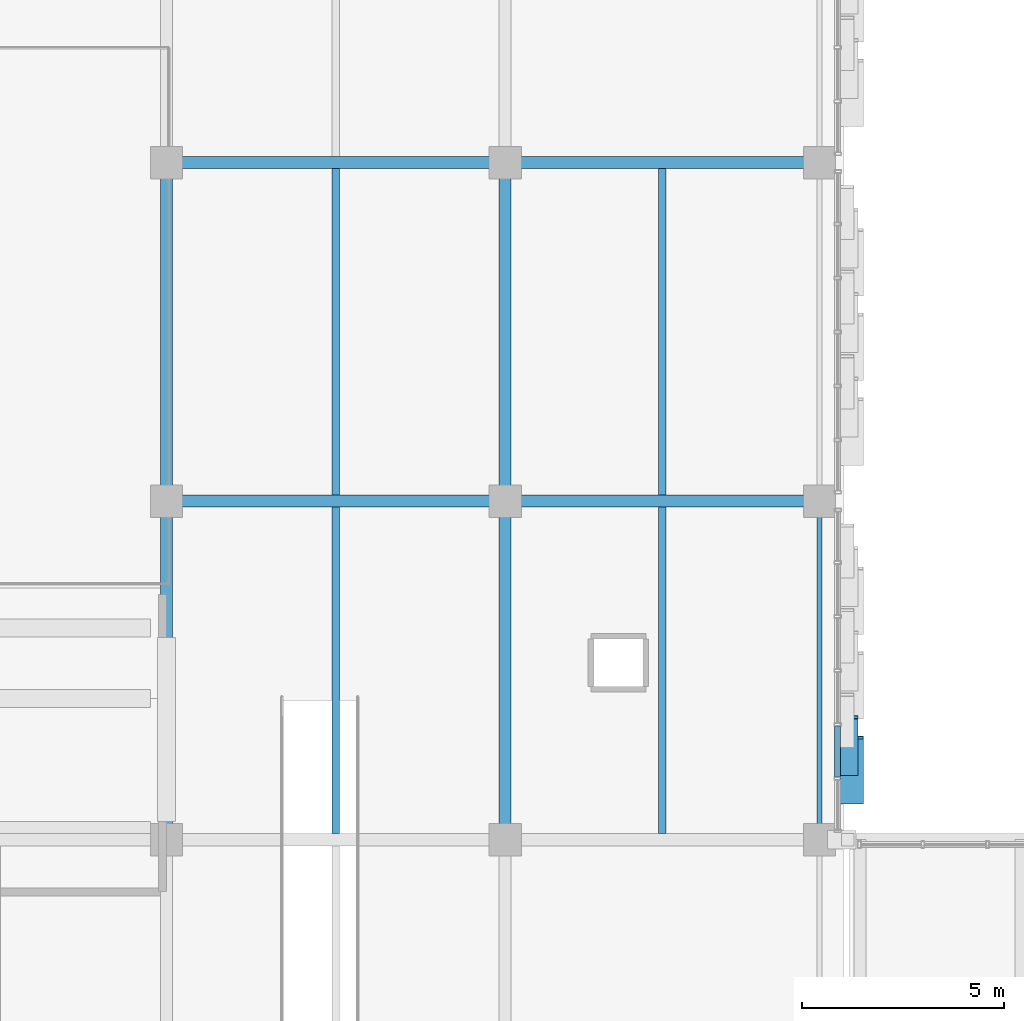
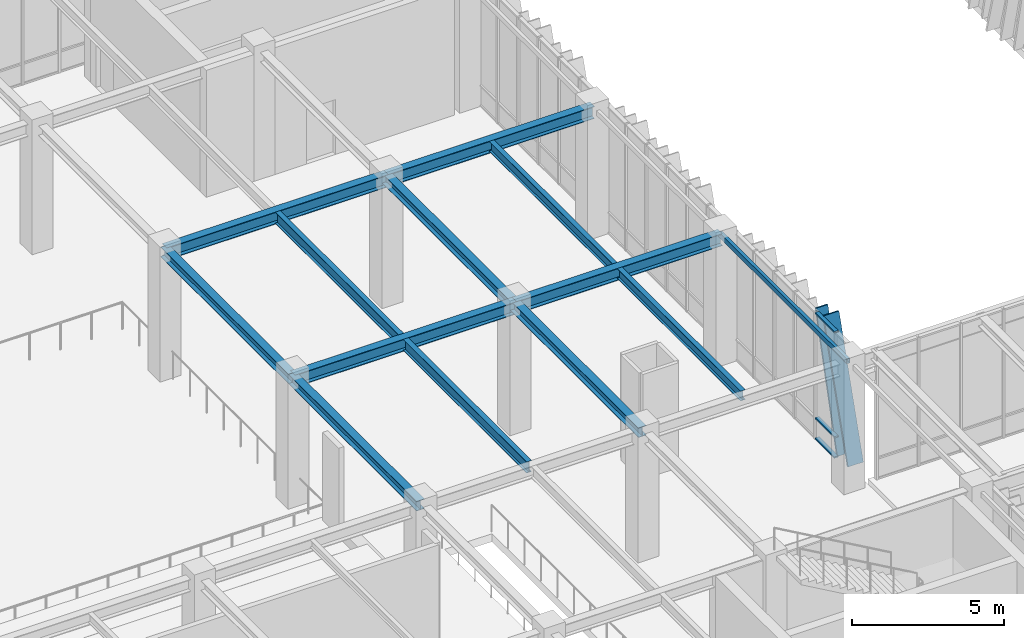
# One storey, part 61 of 139: 13 beams, 5 members, 1 element without a shape of its own.
"""IFC4 building model written with IfcOpenShell, lengths in metres."""

import ifcopenshell
import ifcopenshell.guid

model = None  # the IFC model being written
_history = None  # IfcOwnerHistory: only IFC2X3 demands one
_inside = {}  # id of a spatial element -> (the spatial element, [elements in it])
_under = {}  # id of a project, library or spatial element -> (it, [spatial elements below it])
_declared = {}  # id of a project -> (the project, [libraries it declares])
_typed = {}  # id of a type object -> (the type object, [elements of that type])
_made_of = {}  # id of a material, layer set ... -> (it, [elements and type objects made of it])


def new_model(schema):
    """Start an empty IFC model of exactly this schema.

    Asked for "IFC4X3", IfcOpenShell would pick the latest addendum, in which some entities
    have other attributes; the version numbers below select the first issue.
    IFC2X3 requires an IfcOwnerHistory on every rooted entity: one is made here for all.
    """
    global model, _history
    if schema == "IFC4X3":
        model = ifcopenshell.file(schema_version=(4, 3, 0, 0))
    else:
        model = ifcopenshell.file(schema=schema)
    _inside.clear()
    _under.clear()
    _declared.clear()
    _typed.clear()
    _made_of.clear()
    _history = None
    if model.schema == "IFC2X3":
        org = make("IfcOrganization", Name="unknown")
        user = make(
            "IfcPersonAndOrganization",
            ThePerson=make("IfcPerson", FamilyName="unknown"),
            TheOrganization=org,
        )
        app = make(
            "IfcApplication",
            ApplicationDeveloper=org,
            Version="unknown",
            ApplicationFullName="unknown",
            ApplicationIdentifier="unknown",
        )
        _history = make(
            "IfcOwnerHistory",
            OwningUser=user,
            OwningApplication=app,
            ChangeAction="ADDED",
            CreationDate=0,
        )
    return model


def make(cls, **values):
    """One entity of the class cls with the attributes given. An attribute that is None is left unset."""
    return model.create_entity(
        cls, **{name: value for name, value in values.items() if value is not None}
    )


def rooted(cls, **values):
    """An entity with a GlobalId (a new one), such as an element, a storey or a relation."""
    return make(cls, GlobalId=ifcopenshell.guid.new(), OwnerHistory=_history, **values)


def si_unit(unit_type, name, prefix=None):
    """IfcSIUnit, for example si_unit("LENGTHUNIT", "METRE", prefix="MILLI")."""
    return make("IfcSIUnit", UnitType=unit_type, Prefix=prefix, Name=name)


def assignment(units):
    """IfcUnitAssignment: the units of a project."""
    return None if units is None else make("IfcUnitAssignment", Units=units)


def point(xyz):
    """IfcCartesianPoint."""
    return None if xyz is None else make("IfcCartesianPoint", Coordinates=xyz)


def direction(xyz):
    """IfcDirection."""
    return None if xyz is None else make("IfcDirection", DirectionRatios=xyz)


def frame(location, z_axis=None, x_axis=None):
    """IfcAxis2Placement3D, a coordinate frame: its origin and axes. An axis left out is left unset."""
    return make(
        "IfcAxis2Placement3D",
        Location=point(location),
        Axis=direction(z_axis),
        RefDirection=direction(x_axis),
    )


def frame_2d(location, x_axis=None):
    """IfcAxis2Placement2D, a coordinate frame in the plane: its origin and x axis."""
    return make(
        "IfcAxis2Placement2D", Location=point(location), RefDirection=direction(x_axis)
    )


def origin():
    """The frame at (0, 0, 0) with its axes left unset."""
    return frame((0.0, 0.0, 0.0))


def origin_2d():
    """The frame at (0, 0) in the plane with its x axis left unset."""
    return frame_2d((0.0, 0.0))


def place(relative_to, where):
    """IfcLocalPlacement: puts the frame where relative to a parent placement (None: the world)."""
    return make(
        "IfcLocalPlacement", PlacementRelTo=relative_to, RelativePlacement=where
    )


def context(
    kind, dimensions, precision=None, world=None, true_north=None, identifier=None
):
    """IfcGeometricRepresentationContext, for example the 3D "Model" context."""
    return make(
        "IfcGeometricRepresentationContext",
        ContextIdentifier=identifier,
        ContextType=kind,
        CoordinateSpaceDimension=dimensions,
        Precision=precision,
        WorldCoordinateSystem=world,
        TrueNorth=true_north,
    )


def subcontext(parent, identifier, kind, view, scale=None):
    """IfcGeometricRepresentationSubContext, for example "Body" below "Model"."""
    return make(
        "IfcGeometricRepresentationSubContext",
        ContextIdentifier=identifier,
        ContextType=kind,
        ParentContext=parent,
        TargetScale=scale,
        TargetView=view,
    )


def project(units=None, contexts=None):
    """IfcProject with its units and contexts."""
    return rooted(
        "IfcProject",
        Name="project",
        RepresentationContexts=contexts,
        UnitsInContext=assignment(units),
    )


def spatial(cls, under=None, at=None, **own):
    """A site, building, storey or space (cls), placed at a placement, below another one or the project."""
    s = rooted(cls, ObjectPlacement=at, **own)
    if under is not None:
        _under.setdefault(under.id(), (under, []))[1].append(s)
    return s


def profile(cls, at=None, kind="AREA", **sizes):
    """A parametric profile (cls). Its sizes go by their IFC names, for example OverallWidth=200.0."""
    return make(cls, ProfileType=kind, Position=at, **sizes)


def hollow_rectangle(**sizes):
    """IfcRectangleHollowProfileDef."""
    return profile("IfcRectangleHollowProfileDef", **sizes)


def i_section(**sizes):
    """IfcIShapeProfileDef."""
    return profile("IfcIShapeProfileDef", **sizes)


def extrude(swept, where, along, depth):
    """IfcExtrudedAreaSolid: the profile swept, set in the frame where, extruded along a direction by depth."""
    return make(
        "IfcExtrudedAreaSolid",
        SweptArea=swept,
        Position=where,
        ExtrudedDirection=direction(along),
        Depth=depth,
    )


def shape(context_of_items, identifier, shape_type, items):
    """IfcShapeRepresentation: the items that make up one representation, for example the "Body"."""
    return make(
        "IfcShapeRepresentation",
        ContextOfItems=context_of_items,
        RepresentationIdentifier=identifier,
        RepresentationType=shape_type,
        Items=items,
    )


def material(Name=None, Category=None):
    """IfcMaterial."""
    return make("IfcMaterial", Name=Name, Category=Category)


def layer(
    of_material, thickness, ventilated=None, Name=None, Category=None, Priority=None
):
    """IfcMaterialLayer: one layer of a wall or slab, of a material (None: an air gap)."""
    return make(
        "IfcMaterialLayer",
        Material=of_material,
        LayerThickness=thickness,
        IsVentilated=ventilated,
        Name=Name,
        Category=Category,
        Priority=Priority,
    )


def layer_set(layers, Name=None):
    """IfcMaterialLayerSet."""
    return make("IfcMaterialLayerSet", MaterialLayers=layers, LayerSetName=Name)


def material_profile(
    of_material, cross_section, Name=None, Category=None, Priority=None
):
    """IfcMaterialProfile: a cross section and its material."""
    return make(
        "IfcMaterialProfile",
        Name=Name,
        Material=of_material,
        Profile=cross_section,
        Priority=Priority,
        Category=Category,
    )


def profile_set(profiles, Name=None, composite=None):
    """IfcMaterialProfileSet."""
    return make(
        "IfcMaterialProfileSet",
        Name=Name,
        MaterialProfiles=profiles,
        CompositeProfile=composite,
    )


def made_of(thing, what):
    """Note that an element or type object is made of a material, layer set ...; save() writes the relation."""
    if what is not None:
        _made_of.setdefault(what.id(), (what, []))[1].append(thing)
    return thing


def type_object(cls, material=None, **own):
    """A type object (cls), such as IfcWallType, which elements share."""
    return made_of(rooted(cls, **own), material)


def element(
    cls,
    number,
    at=None,
    inside=None,
    cuts=None,
    type_object=None,
    material=None,
    context=None,
    identifier="Body",
    shape_type=None,
    held_by="IfcProductDefinitionShape",
    body=None,
    shapes=None,
    **own,
):
    """One element of the class cls, such as IfcWall. Its Tag is "e" and its number.

    at: its placement. inside: the storey or other place that contains it. cuts: it is an
    opening in that element (IfcRelVoidsElement). A single representation is given by context,
    identifier, shape_type and body (its items); several are given by shapes. held_by: the class
    of the entity that holds the representations. save() writes the other relations.
    """
    e = rooted(cls, Tag="e%d" % number, ObjectPlacement=at, **own)
    if body is not None:
        shapes = [shape(context, identifier, shape_type, body)]
    if shapes is not None:
        e.Representation = make(held_by, Representations=shapes)
    if inside is not None:
        _inside.setdefault(inside.id(), (inside, []))[1].append(e)
    if cuts is not None:
        rooted(
            "IfcRelVoidsElement", RelatingBuildingElement=cuts, RelatedOpeningElement=e
        )
    if type_object is not None:
        _typed.setdefault(type_object.id(), (type_object, []))[1].append(e)
    return made_of(e, material)


def aggregate(whole, parts):
    """IfcRelAggregates: a whole, such as a stair, and the parts it consists of."""
    return rooted("IfcRelAggregates", RelatingObject=whole, RelatedObjects=parts)


def save(model, path):
    """Write the relations noted so far, then the file.

    IfcRelAggregates (storeys below a building ...), IfcRelContainedInSpatialStructure (elements
    in a storey), IfcRelDefinesByType, IfcRelAssociatesMaterial and IfcRelDeclares: one each for
    every whole, place, type object, material and project.
    """
    for whole, parts in _under.values():
        aggregate(whole, parts)
    for where, things in _inside.values():
        rooted(
            "IfcRelContainedInSpatialStructure",
            RelatedElements=things,
            RelatingStructure=where,
        )
    for kind, things in _typed.values():
        rooted("IfcRelDefinesByType", RelatedObjects=things, RelatingType=kind)
    for what, things in _made_of.values():
        rooted("IfcRelAssociatesMaterial", RelatedObjects=things, RelatingMaterial=what)
    for by, libraries in _declared.values():
        rooted("IfcRelDeclares", RelatingContext=by, RelatedDefinitions=libraries)
    model.write(path)


model = new_model("IFC4")

# Units and contexts
model_context = context("Model", 3, precision=1e-05, world=origin(), true_north=direction((0.0, 1.0)))
body_context = subcontext(model_context, "Body", "Model", "MODEL_VIEW")
ifc_project = project(units=[si_unit("LENGTHUNIT", "METRE"), si_unit("AREAUNIT", "SQUARE_METRE"), si_unit("VOLUMEUNIT", "CUBIC_METRE"), si_unit("PLANEANGLEUNIT", "RADIAN"), si_unit("MASSUNIT", "GRAM", prefix="KILO")], contexts=[model_context])

# Site, building, storey
site_placement = place(None, origin())
site = spatial("IfcSite", under=ifc_project, at=site_placement, CompositionType="ELEMENT")
building_placement = place(site_placement, origin())
building = spatial("IfcBuilding", under=site, at=building_placement, Name="Zayran Congress Hotel", CompositionType="ELEMENT")
storey_placement = place(building_placement, frame((0.0, 0.0, 5.39990234375)))
storey = spatial("IfcBuildingStorey", under=building, at=storey_placement, Name="L01", CompositionType="ELEMENT", Elevation=5.39990234375)

# Beams
ifc_material_1 = material(Name="Steel S355", Category="steel")
ifc_material_profile_1 = material_profile(ifc_material_1, i_section(OverallWidth=0.300048828125, OverallDepth=0.489990234375, WebThickness=0.011962890625, FlangeThickness=0.02294921875, at=origin_2d()), Name="HEA 500")
ifc_profile_set_1 = profile_set([ifc_material_profile_1], Name="Steel S355")
beam_type_1 = type_object("IfcBeamType", Name="TP-BM-05", PredefinedType="BEAM", material=ifc_profile_set_1)
beam_1_placement = place(storey_placement, frame((75.60009765625, 92.800048828125, 4.835205078125), z_axis=(1.0, 0.0, 0.0), x_axis=(0.0, 1.0, 0.0)))
element("IfcBeam", 1, at=beam_1_placement, inside=storey, type_object=beam_type_1, Name="BM-V1-L01-0545", PredefinedType="BEAM", context=body_context, shape_type="SweptSolid", body=[
    extrude(i_section(OverallWidth=0.300048828125, OverallDepth=0.489990234375, WebThickness=0.011962890625, FlangeThickness=0.02294921875, at=origin_2d()), origin(), (0.0, 0.0, 1.0), 8.39990234375),
])
beam_2_placement = place(storey_placement, frame((84.0, 92.800048828125, 4.835205078125), z_axis=(1.0, 0.0, 0.0), x_axis=(0.0, 1.0, 0.0)))
element("IfcBeam", 2, at=beam_2_placement, inside=storey, type_object=beam_type_1, Name="BM-V1-L01-0546", PredefinedType="BEAM", context=body_context, shape_type="SweptSolid", body=[
    extrude(i_section(OverallWidth=0.300048828125, OverallDepth=0.489990234375, WebThickness=0.011962890625, FlangeThickness=0.02294921875, at=origin_2d()), origin(), (0.0, 0.0, 1.0), 7.800048828125),
])
beam_3_placement = place(storey_placement, frame((75.60009765625, 101.199951171875, 4.835205078125), z_axis=(1.0, 0.0, 0.0), x_axis=(0.0, 1.0, 0.0)))
element("IfcBeam", 3, at=beam_3_placement, inside=storey, type_object=beam_type_1, Name="BM-V1-L01-0549", PredefinedType="BEAM", context=body_context, shape_type="SweptSolid", body=[
    extrude(i_section(OverallWidth=0.300048828125, OverallDepth=0.489990234375, WebThickness=0.011962890625, FlangeThickness=0.02294921875, at=origin_2d()), origin(), (0.0, 0.0, 1.0), 8.39990234375),
])
beam_4_placement = place(storey_placement, frame((84.0, 101.199951171875, 4.835205078125), z_axis=(1.0, 0.0, 0.0), x_axis=(0.0, 1.0, 0.0)))
element("IfcBeam", 4, at=beam_4_placement, inside=storey, type_object=beam_type_1, Name="BM-V1-L01-0550", PredefinedType="BEAM", context=body_context, shape_type="SweptSolid", body=[
    extrude(i_section(OverallWidth=0.300048828125, OverallDepth=0.489990234375, WebThickness=0.011962890625, FlangeThickness=0.02294921875, at=origin_2d()), origin(), (0.0, 0.0, 1.0), 7.800048828125),
])
ifc_material_profile_2 = material_profile(ifc_material_1, i_section(OverallWidth=0.300048828125, OverallDepth=0.389892578125, WebThickness=0.010986328125, FlangeThickness=0.01904296875, at=origin_2d()), Name="HEA 400")
ifc_profile_set_2 = profile_set([ifc_material_profile_2], Name="Steel S355")
beam_type_2 = type_object("IfcBeamType", Name="TP-BM-06", PredefinedType="BEAM", material=ifc_profile_set_2)
beam_5_placement = place(storey_placement, frame((75.60009765625, 84.39990234375, 4.885009765625), z_axis=(0.0, 1.0, 0.0), x_axis=(-1.0, 0.0, 0.0)))
element("IfcBeam", 5, at=beam_5_placement, inside=storey, type_object=beam_type_2, Name="BM-V1-L01-0604", PredefinedType="BEAM", context=body_context, shape_type="SweptSolid", body=[
    extrude(i_section(OverallWidth=0.300048828125, OverallDepth=0.389892578125, WebThickness=0.010986328125, FlangeThickness=0.01904296875, at=origin_2d()), origin(), (0.0, 0.0, 1.0), 8.400146484375),
])
beam_6_placement = place(storey_placement, frame((75.60009765625, 92.800048828125, 4.885009765625), z_axis=(0.0, 1.0, 0.0), x_axis=(-1.0, 0.0, 0.0)))
element("IfcBeam", 6, at=beam_6_placement, inside=storey, type_object=beam_type_2, Name="BM-V1-L01-0605", PredefinedType="BEAM", context=body_context, shape_type="SweptSolid", body=[
    extrude(i_section(OverallWidth=0.300048828125, OverallDepth=0.389892578125, WebThickness=0.010986328125, FlangeThickness=0.01904296875, at=origin_2d()), origin(), (0.0, 0.0, 1.0), 8.39990234375),
])
beam_7_placement = place(storey_placement, frame((84.0, 84.39990234375, 4.885009765625), z_axis=(0.0, 1.0, 0.0), x_axis=(-1.0, 0.0, 0.0)))
element("IfcBeam", 7, at=beam_7_placement, inside=storey, type_object=beam_type_2, Name="BM-V1-L01-0609", PredefinedType="BEAM", context=body_context, shape_type="SweptSolid", body=[
    extrude(i_section(OverallWidth=0.300048828125, OverallDepth=0.389892578125, WebThickness=0.010986328125, FlangeThickness=0.01904296875, at=origin_2d()), origin(), (0.0, 0.0, 1.0), 8.400146484375),
])
beam_8_placement = place(storey_placement, frame((84.0, 92.800048828125, 4.885009765625), z_axis=(0.0, 1.0, 0.0), x_axis=(-1.0, 0.0, 0.0)))
element("IfcBeam", 8, at=beam_8_placement, inside=storey, type_object=beam_type_2, Name="BM-V1-L01-0610", PredefinedType="BEAM", context=body_context, shape_type="SweptSolid", body=[
    extrude(i_section(OverallWidth=0.300048828125, OverallDepth=0.389892578125, WebThickness=0.010986328125, FlangeThickness=0.01904296875, at=origin_2d()), origin(), (0.0, 0.0, 1.0), 8.39990234375),
])
ifc_material_profile_3 = material_profile(ifc_material_1, i_section(OverallWidth=0.18994140625, OverallDepth=0.449951171875, WebThickness=0.009521484375, FlangeThickness=0.0146484375, at=origin_2d()), Name="IPE 450")
ifc_profile_set_3 = profile_set([ifc_material_profile_3], Name="Steel S355")
beam_type_3 = type_object("IfcBeamType", Name="TP-JS-02", PredefinedType="JOIST", material=ifc_profile_set_3)
beam_9_placement = place(storey_placement, frame((79.800048828125, 84.550048828125, 4.85498046875), z_axis=(0.0, 1.0, 0.0), x_axis=(-1.0, 0.0, 0.0)))
element("IfcBeam", 9, at=beam_9_placement, inside=storey, type_object=beam_type_3, Name="JST-V1-L01-0646", PredefinedType="JOIST", context=body_context, shape_type="SweptSolid", body=[
    extrude(i_section(OverallWidth=0.18994140625, OverallDepth=0.449951171875, WebThickness=0.009521484375, FlangeThickness=0.0146484375, at=origin_2d()), origin(), (0.0, 0.0, 1.0), 8.099853515625),
])
beam_10_placement = place(storey_placement, frame((79.800048828125, 92.949951171875, 4.85498046875), z_axis=(0.0, 1.0, 0.0), x_axis=(-1.0, 0.0, 0.0)))
element("IfcBeam", 10, at=beam_10_placement, inside=storey, type_object=beam_type_3, Name="JST-V1-L01-0647", PredefinedType="JOIST", context=body_context, shape_type="SweptSolid", body=[
    extrude(i_section(OverallWidth=0.18994140625, OverallDepth=0.449951171875, WebThickness=0.009521484375, FlangeThickness=0.0146484375, at=origin_2d()), origin(), (0.0, 0.0, 1.0), 8.10009765625),
])
ifc_material_profile_4 = material_profile(ifc_material_1, i_section(OverallWidth=0.179931640625, OverallDepth=0.39990234375, WebThickness=0.008544921875, FlangeThickness=0.013427734375, at=origin_2d()), Name="IPE 400")
ifc_profile_set_4 = profile_set([ifc_material_profile_4], Name="Steel S355")
beam_type_4 = type_object("IfcBeamType", Name="TP-JS-03", PredefinedType="JOIST", material=ifc_profile_set_4)
beam_11_placement = place(storey_placement, frame((87.89990234375, 84.550048828125, 4.880126953125), z_axis=(0.0, 1.0, 0.0), x_axis=(-1.0, 0.0, 0.0)))
element("IfcBeam", 11, at=beam_11_placement, inside=storey, type_object=beam_type_4, Name="JST-V1-L01-0650", PredefinedType="JOIST", context=body_context, shape_type="SweptSolid", body=[
    extrude(i_section(OverallWidth=0.179931640625, OverallDepth=0.39990234375, WebThickness=0.008544921875, FlangeThickness=0.013427734375, at=origin_2d()), origin(), (0.0, 0.0, 1.0), 8.099853515625),
])
beam_12_placement = place(storey_placement, frame((87.89990234375, 92.949951171875, 4.880126953125), z_axis=(0.0, 1.0, 0.0), x_axis=(-1.0, 0.0, 0.0)))
element("IfcBeam", 12, at=beam_12_placement, inside=storey, type_object=beam_type_4, Name="JST-V1-L01-0651", PredefinedType="JOIST", context=body_context, shape_type="SweptSolid", body=[
    extrude(i_section(OverallWidth=0.179931640625, OverallDepth=0.39990234375, WebThickness=0.008544921875, FlangeThickness=0.013427734375, at=origin_2d()), origin(), (0.0, 0.0, 1.0), 8.10009765625),
])
ifc_material_profile_5 = material_profile(ifc_material_1, hollow_rectangle(XDim=0.1201171875, YDim=0.199951171875, WallThickness=0.008056640625, at=origin_2d()), Name="RHS 200x120x8")
ifc_profile_set_5 = profile_set([ifc_material_profile_5], Name="Steel S355")
beam_type_5 = type_object("IfcBeamType", Name="TP-SP-02", PredefinedType="SPANDREL", material=ifc_profile_set_5)
beam_13_placement = place(storey_placement, frame((91.800048828125, 84.39990234375, 4.97998046875), z_axis=(0.0, 1.0, 0.0), x_axis=(-1.0, 0.0, 0.0)))
element("IfcBeam", 13, at=beam_13_placement, inside=storey, type_object=beam_type_5, Name="BM-V1-L01-0614", PredefinedType="SPANDREL", context=body_context, shape_type="SweptSolid", body=[
    extrude(hollow_rectangle(XDim=0.1201171875, YDim=0.199951171875, WallThickness=0.008056640625, at=origin_2d()), origin(), (0.0, 0.0, 1.0), 8.400146484375),
])

# Curtain wall, members
ifc_material_2 = material(Name="Anodised aluminium and low-E insulated glass", Category="aluminium")
ifc_layer = layer(ifc_material_2, 0.179931640625)
ifc_layer_set = layer_set([ifc_layer], Name="Anodised aluminium and low-E insulated glass")
curtain_wall_type = type_object("IfcCurtainWallType", Name="CW-V1E-L01-CW-41-8040-5080", PredefinedType="USERDEFINED", material=ifc_layer_set)
curtain_wall_placement = place(storey_placement, origin())
curtain_wall = element("IfcCurtainWall", 14, at=curtain_wall_placement, inside=storey, type_object=curtain_wall_type, Name="CW-V1E-L01-2", ObjectType="CURTAIN WALL", PredefinedType="USERDEFINED")
ifc_material_3 = material(Name="Anodised aluminium framing", Category="aluminium")
ifc_material_profile_6 = material_profile(ifc_material_3, hollow_rectangle(XDim=0.06005859375, YDim=0.14990234375, WallThickness=0.00390625, at=origin_2d()), Name="RHS 150x60x4")
ifc_profile_set_6 = profile_set([ifc_material_profile_6], Name="Anodised aluminium framing")
member_type_1 = type_object("IfcMemberType", Name="TP-CWT-01", PredefinedType="USERDEFINED", material=ifc_profile_set_6)
member_1_placement = place(storey_placement, frame((92.25, 85.9599609375, 0.030029296875), z_axis=(0.0, 1.0, 0.0), x_axis=(0.0, 0.0, 1.0)))
member_1 = element("IfcMember", 15, at=member_1_placement, type_object=member_type_1, Name="CW-V1E-L01-2-T01-0", ObjectType="TRANSOM", PredefinedType="USERDEFINED", context=body_context, shape_type="SweptSolid", body=[
    extrude(hollow_rectangle(XDim=0.06005859375, YDim=0.14990234375, WallThickness=0.00390625, at=origin_2d()), origin(), (0.0, 0.0, 1.0), 1.260009765625),
])
member_2_placement = place(storey_placement, frame((92.25, 85.9599609375, 0.840087890625), z_axis=(0.0, 1.0, 0.0), x_axis=(0.0, 0.0, 1.0)))
member_2 = element("IfcMember", 16, at=member_2_placement, type_object=member_type_1, Name="CW-V1E-L01-2-T01-1", ObjectType="TRANSOM", PredefinedType="USERDEFINED", context=body_context, shape_type="SweptSolid", body=[
    extrude(hollow_rectangle(XDim=0.06005859375, YDim=0.14990234375, WallThickness=0.00390625, at=origin_2d()), origin(), (0.0, 0.0, 1.0), 1.260009765625),
])
member_3_placement = place(storey_placement, frame((92.25, 85.9599609375, 5.050048828125), z_axis=(0.0, 1.0, 0.0), x_axis=(0.0, 0.0, 1.0)))
member_3 = element("IfcMember", 17, at=member_3_placement, type_object=member_type_1, Name="CW-V1E-L01-2-T01-2", ObjectType="TRANSOM", PredefinedType="USERDEFINED", context=body_context, shape_type="SweptSolid", body=[
    extrude(hollow_rectangle(XDim=0.06005859375, YDim=0.14990234375, WallThickness=0.00390625, at=origin_2d()), origin(), (0.0, 0.0, 1.0), 1.260009765625),
])
ifc_material_4 = material(Name="Warm bronze anodised aluminium", Category="aluminium")
ifc_material_profile_7 = material_profile(ifc_material_4, hollow_rectangle(XDim=0.080078125, YDim=0.580078125, WallThickness=0.006103515625, at=origin_2d()), Name="RHS 580x80x6")
ifc_profile_set_7 = profile_set([ifc_material_profile_7], Name="Warm bronze anodised aluminium")
member_type_2 = type_object("IfcMemberType", Name="TP-RFN-01", PredefinedType="MULLION", material=ifc_profile_set_7)
member_4_placement = place(storey_placement, frame((92.60009765625, 85.330078125, 0.0), z_axis=(0.0, 0.300675065474, 0.953726640606), x_axis=(0.0, -0.953726640606, 0.300675065474)))
member_4 = element("IfcMember", 18, at=member_4_placement, type_object=member_type_2, Name="Slanting Reed Mullion CW-41-01", PredefinedType="MULLION", context=body_context, shape_type="SweptSolid", body=[
    extrude(hollow_rectangle(XDim=0.080078125, YDim=0.580078125, WallThickness=0.006103515625, at=origin_2d()), origin(), (0.0, 0.0, 1.0), 5.32666015625),
])
ifc_material_profile_8 = material_profile(ifc_material_4, hollow_rectangle(XDim=0.080078125, YDim=0.449951171875, WallThickness=0.006103515625, at=origin_2d()), Name="RHS 450x80x6")
ifc_profile_set_8 = profile_set([ifc_material_profile_8], Name="Warm bronze anodised aluminium")
member_type_3 = type_object("IfcMemberType", Name="TP-RFN-02", PredefinedType="MULLION", material=ifc_profile_set_8)
member_5_placement = place(storey_placement, frame((92.534912109375, 86.030029296875, 0.0), z_axis=(0.0, 0.267213902124, 0.963637240102), x_axis=(0.0, -0.963637240102, 0.267213902124)))
member_5 = element("IfcMember", 19, at=member_5_placement, type_object=member_type_3, Name="Slanting Reed Mullion CW-41-02", PredefinedType="MULLION", context=body_context, shape_type="SweptSolid", body=[
    extrude(hollow_rectangle(XDim=0.080078125, YDim=0.449951171875, WallThickness=0.006103515625, at=origin_2d()), origin(), (0.0, 0.0, 1.0), 5.271728515625),
])
aggregate(curtain_wall, [member_1, member_2, member_3, member_4, member_5])

save(model, "model.ifc")
